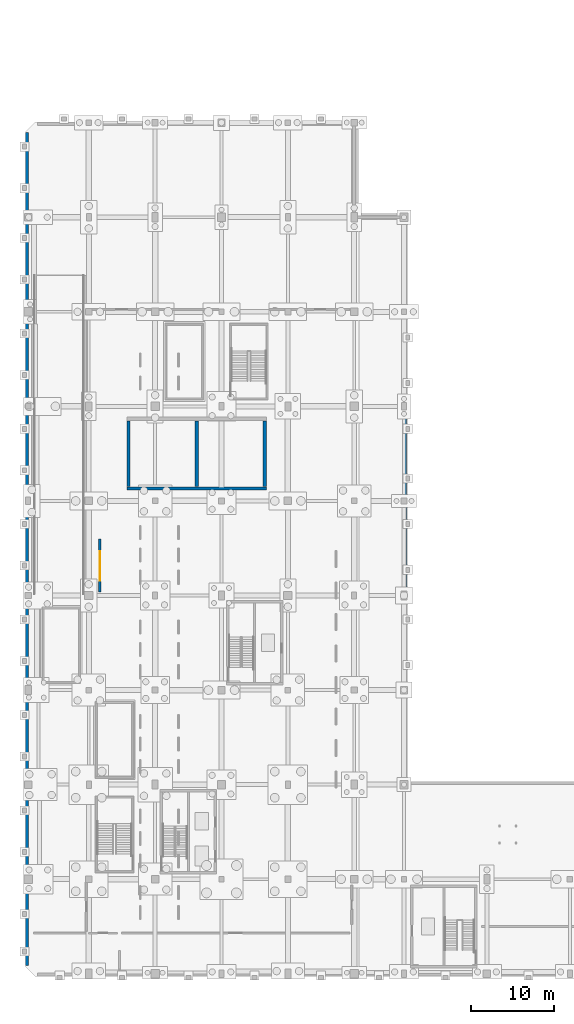
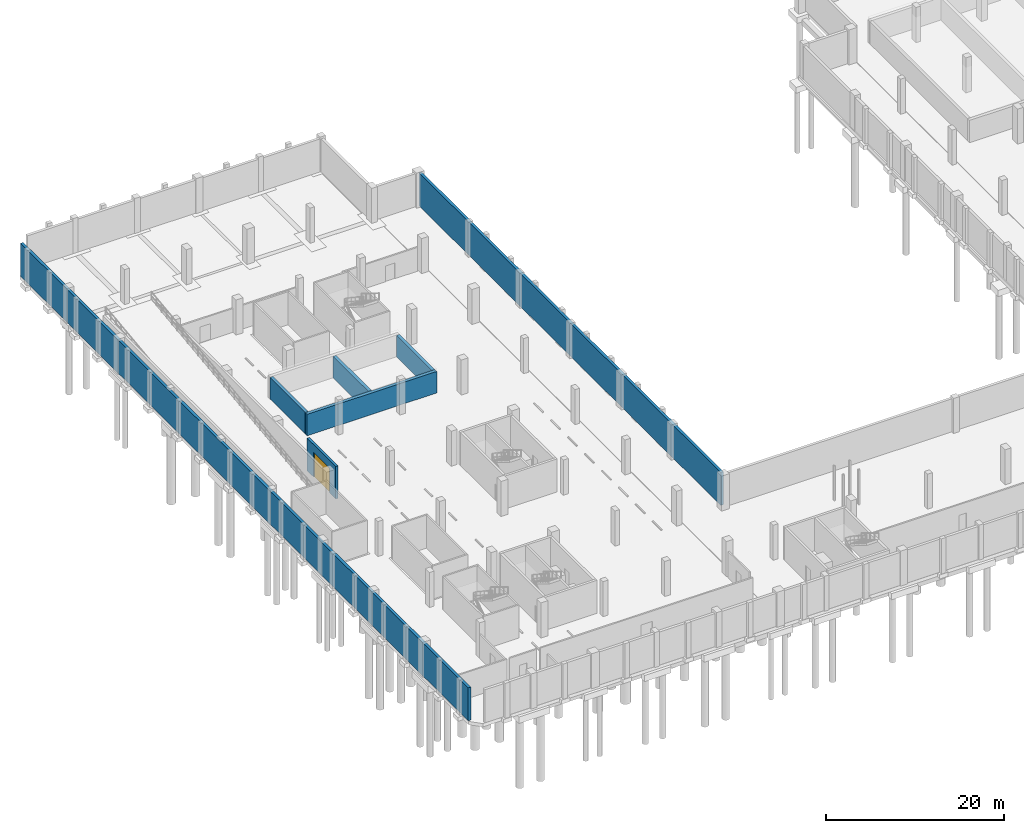
# One storey, part 21 of 34: 7 walls, 1 door, 1 opening.
"""IFC4 building model written with IfcOpenShell, lengths in metres."""

from ifc_helpers import new_model, si_unit, direction, frame, frame_2d, origin, place, context, subcontext, project, spatial, rectangle, extrude, material, layer, layer_set, type_object, element, fill, save


model = new_model("IFC4")

# Units and contexts
model_context = context("Model", 3, precision=1e-05, world=origin(), true_north=direction((0.0, 1.0)))
body_context = subcontext(model_context, "Body", "Model", "MODEL_VIEW")
ifc_project = project(units=[si_unit("LENGTHUNIT", "METRE"), si_unit("AREAUNIT", "SQUARE_METRE"), si_unit("VOLUMEUNIT", "CUBIC_METRE"), si_unit("PLANEANGLEUNIT", "RADIAN"), si_unit("MASSUNIT", "GRAM", prefix="KILO"), si_unit("POWERUNIT", "WATT"), si_unit("THERMODYNAMICTEMPERATUREUNIT", "KELVIN")], contexts=[model_context])

# Site, building, storey
site_placement = place(None, origin())
site = spatial("IfcSite", under=ifc_project, at=site_placement, CompositionType="ELEMENT")
building_placement = place(site_placement, origin())
building = spatial("IfcBuilding", under=site, at=building_placement, Name="Kelmbourne Parkland Aquatics Centre", CompositionType="ELEMENT")
storey_placement = place(building_placement, frame((0.0, 0.0, -4.800048828125)))
storey = spatial("IfcBuildingStorey", under=building, at=storey_placement, Name="B1", CompositionType="ELEMENT", Elevation=-4.800048828125)

# Wall, opening, door
ifc_material_1 = material(Name="Concrete C40/50", Category="concrete")
ifc_layer_1 = layer(ifc_material_1, 0.300048828125)
ifc_layer_set_1 = layer_set([ifc_layer_1], Name="Concrete C40/50")
wall_type_1 = type_object("IfcWallType", Name="W-CORE-300", PredefinedType="SHEAR", material=ifc_layer_set_1)
wall_1_placement = place(storey_placement, frame((9.35009765625, 46.800048828125, 0.0), z_axis=(0.0, 0.0, 1.0), x_axis=(0.0, 1.0, 0.0)))
wall_1 = element("IfcWall", 1, at=wall_1_placement, inside=storey, type_object=wall_type_1, Name="Basement car park vehicle entry portal wall", PredefinedType="SHEAR", context=body_context, shape_type="SweptSolid", body=[
    extrude(rectangle(XDim=6.39990234375, YDim=0.300048828125, at=frame_2d((3.199951171875, 0.0))), origin(), (0.0, 0.0, 1.0), 4.449951171875),
])
opening_placement = place(wall_1_placement, frame((1.35009765625, 0.0, 0.0)))
opening = element("IfcOpeningElement", 2, at=opening_placement, cuts=wall_1, Name="Opening SH02", PredefinedType="OPENING", context=body_context, shape_type="SweptSolid", body=[
    extrude(rectangle(XDim=3.60009765625, YDim=3.39990234375, at=frame_2d((1.800048828125, 1.699951171875))), frame((0.0, 0.162109375, 0.0), z_axis=(0.0, -1.0, 0.0), x_axis=(1.0, 0.0, 0.0)), (0.0, 0.0, 1.0), 0.323974609375),
])
ifc_material_2 = material(Name="Thermally broken anodised aluminium commercial door", Category="aluminium")
ifc_layer_2 = layer(ifc_material_2, 0.06005859375)
ifc_layer_set_2 = layer_set([ifc_layer_2], Name="Thermally broken anodised aluminium commercial door")
door_type = type_object("IfcDoorType", Name="DR-SH-02", OperationType="NOTDEFINED", PredefinedType="DOOR", material=ifc_layer_set_2)
door_placement = place(opening_placement, origin())
door = element("IfcDoor", 3, at=door_placement, inside=storey, type_object=door_type, Name="Basement car park motorised vehicle entry shutter", OperationType="ROLLINGUP", OverallHeight=3.39990234375, OverallWidth=3.60009765625, PredefinedType="DOOR", context=body_context, shape_type="SweptSolid", body=[
    extrude(rectangle(XDim=3.60009765625, YDim=3.39990234375, at=frame_2d((1.800048828125, 1.699951171875))), frame((0.0, 0.02490234375, 0.0), z_axis=(0.0, -1.0, 0.0), x_axis=(1.0, 0.0, 0.0)), (0.0, 0.0, 1.0), 0.050048828125),
])
fill(opening, door)

# Walls
ifc_layer_3 = layer(ifc_material_1, 0.35009765625)
ifc_layer_set_3 = layer_set([ifc_layer_3], Name="Concrete C40/50")
wall_type_2 = type_object("IfcWallType", Name="W-RET-350", PredefinedType="SHEAR", material=ifc_layer_set_3)
wall_2_placement = place(storey_placement, frame((0.550048828125, 1.800048828125, 0.0), z_axis=(0.0, 0.0, 1.0), x_axis=(0.0, 1.0, 0.0)))
element("IfcWall", 4, at=wall_2_placement, inside=storey, type_object=wall_type_2, Name="Basement retaining wall RET-W1", PredefinedType="SHEAR", context=body_context, shape_type="SweptSolid", body=[
    extrude(rectangle(XDim=100.39990234375, YDim=0.35009765625, at=frame_2d((50.199951171875, 0.0))), origin(), (0.0, 0.0, 1.0), 4.52001953125),
])
wall_3_placement = place(storey_placement, frame((46.14990234375, 24.10009765625, 0.0), z_axis=(0.0, 0.0, 1.0), x_axis=(0.0, 1.0, 0.0)))
element("IfcWall", 5, at=wall_3_placement, inside=storey, type_object=wall_type_2, Name="Basement retaining wall RET-V6W", PredefinedType="SHEAR", context=body_context, shape_type="SweptSolid", body=[
    extrude(rectangle(XDim=67.699951171875, YDim=0.35009765625, at=frame_2d((33.85009765625, 0.0))), origin(), (0.0, 0.0, 1.0), 4.52001953125),
])
ifc_material_3 = material(Name="Waterproof concrete C50/60", Category="concrete")
ifc_layer_4 = layer(ifc_material_3, 0.39990234375)
ifc_layer_set_4 = layer_set([ifc_layer_4], Name="Waterproof concrete C50/60")
wall_type_3 = type_object("IfcWallType", Name="W-TANK-400", PredefinedType="SHEAR", material=ifc_layer_set_4)
wall_4_placement = place(storey_placement, frame((12.60009765625, 59.300048828125, 0.0), z_axis=(0.0, 0.0, 1.0), x_axis=(1.0, 0.0, 0.0)))
element("IfcWall", 6, at=wall_4_placement, inside=storey, type_object=wall_type_3, Name="Clinical Hydrotherapy and Warm Recovery Pool Tank undercroft support wall S", PredefinedType="SHEAR", context=body_context, shape_type="SweptSolid", body=[
    extrude(rectangle(XDim=16.7998046875, YDim=0.39990234375, at=frame_2d((8.39990234375, 0.0))), origin(), (0.0, 0.0, 1.0), 2.949951171875),
])
for number, where, z_axis, x_axis, name in (
    (7, (12.800048828125, 59.550048828125, 0.0), (0.0, 0.0, 1.0), (0.0, 1.0, 0.0), "Clinical Hydrotherapy and Warm Recovery Pool Tank undercroft support wall W"),
    (8, (29.199951171875, 59.550048828125, 0.0), (0.0, 0.0, 1.0), (0.0, 1.0, 0.0), "Clinical Hydrotherapy and Warm Recovery Pool Tank undercroft support wall E"),
    (9, (21.0, 59.550048828125, 0.0), (0.0, 0.0, 1.0), (0.0, 1.0, 0.0), "Clinical Hydrotherapy and Warm Recovery Pool Tank undercroft support wall M"),
):
    element("IfcWall", number, at=place(storey_placement, frame(where, z_axis=z_axis, x_axis=x_axis)), inside=storey, type_object=wall_type_3, Name=name, PredefinedType="SHEAR", context=body_context, shape_type="SweptSolid", body=[
        extrude(rectangle(XDim=7.89990234375, YDim=0.39990234375, at=frame_2d((3.949951171875, 0.0))), origin(), (0.0, 0.0, 1.0), 2.949951171875),
    ])

save(model, "model.ifc")
